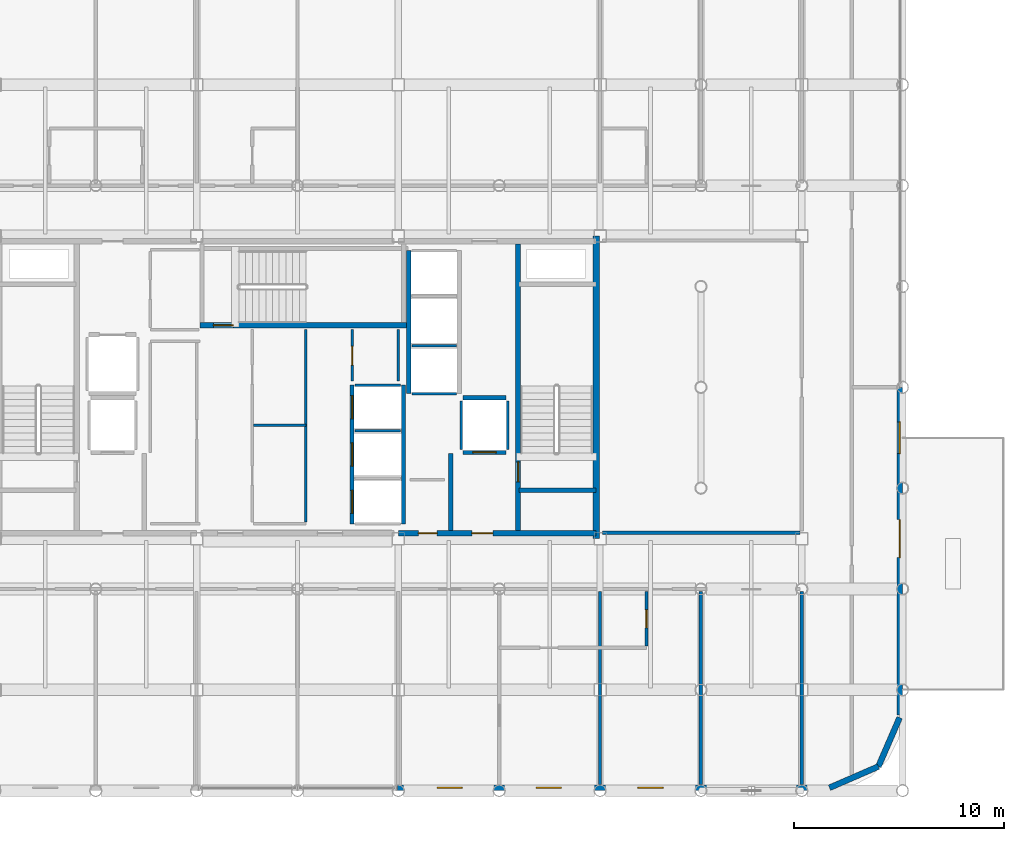
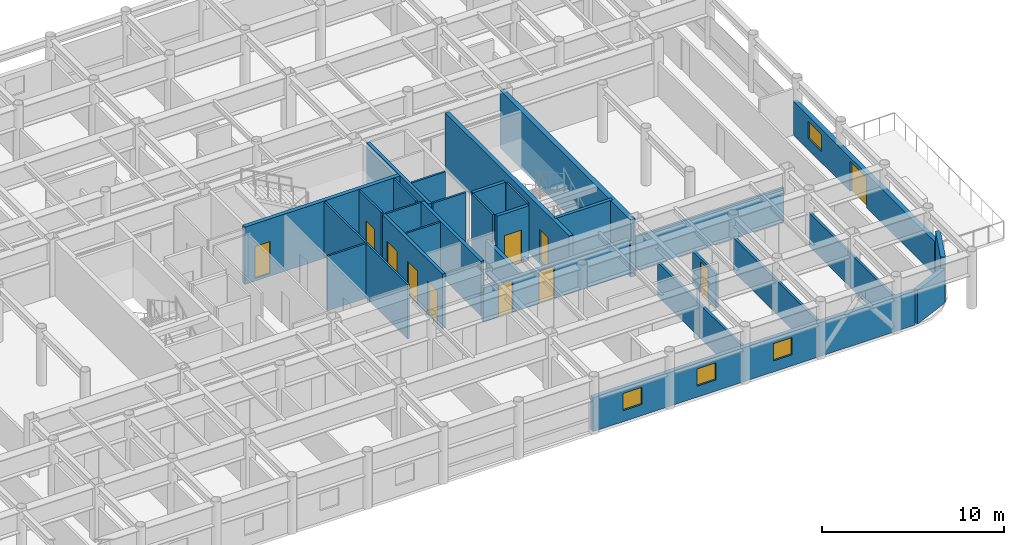
# One storey, part 21 of 25: 30 walls, 11 doors, 4 windows, 15 openings.
"""IFC4 building model written with IfcOpenShell, lengths in metres."""

from ifc_helpers import new_model, si_unit, direction, frame, frame_2d, origin, place, context, subcontext, project, spatial, rectangle, extrude, material, layer, layer_set, type_object, element, fill, save


model = new_model("IFC4")

# Units and contexts
model_context = context("Model", 3, precision=1e-05, world=origin(), true_north=direction((0.0, 1.0)))
body_context = subcontext(model_context, "Body", "Model", "MODEL_VIEW")
ifc_project = project(units=[si_unit("LENGTHUNIT", "METRE"), si_unit("AREAUNIT", "SQUARE_METRE"), si_unit("VOLUMEUNIT", "CUBIC_METRE"), si_unit("PLANEANGLEUNIT", "RADIAN"), si_unit("MASSUNIT", "GRAM", prefix="KILO")], contexts=[model_context])

# Site, building, storey
site_placement = place(None, origin())
site = spatial("IfcSite", under=ifc_project, at=site_placement, CompositionType="ELEMENT")
building_placement = place(site_placement, origin())
building = spatial("IfcBuilding", under=site, at=building_placement, Name="Kallvorn Hotel Tower", CompositionType="ELEMENT")
storey_placement = place(building_placement, frame((0.0, 0.0, 249.25)))
storey = spatial("IfcBuildingStorey", under=building, at=storey_placement, Name="L62", CompositionType="ELEMENT", Elevation=249.25)

# Walls
ifc_material_1 = material(Name="Concrete C50/60", Category="concrete")
ifc_layer_1 = layer(ifc_material_1, 0.300048828125)
ifc_layer_set_1 = layer_set([ifc_layer_1], Name="WL_CORE_300")
wall_type_1 = type_object("IfcWallType", Name="WL_CORE_300", PredefinedType="SHEAR", material=ifc_layer_set_1)
wall_1_placement = place(storey_placement, frame((14.215087890625, -7.199951171875, -0.179931640625), z_axis=(0.0, 0.0, 1.0), x_axis=(0.0, 1.0, 0.0)))
element("IfcWall", 1, at=wall_1_placement, inside=storey, type_object=wall_type_1, Name="L62 Core East Shear Wall", PredefinedType="SHEAR", context=body_context, shape_type="SweptSolid", body=[
    extrude(rectangle(XDim=14.39990234375, YDim=0.300048828125, at=frame_2d((7.199951171875, 0.0))), origin(), (0.0, 0.0, 1.0), 3.849853515625),
])
ifc_material_2 = material(Name="Fire-rated double-layer acoustic gypsum drywall EI 60")
ifc_layer_2 = layer(ifc_material_2, 0.159912109375)
ifc_layer_set_2 = layer_set([ifc_layer_2], Name="WL_DEMISE_160")
wall_type_2 = type_object("IfcWallType", Name="WL_DEMISE_160", PredefinedType="PARTITIONING", material=ifc_layer_set_2)
wall_2_placement = place(storey_placement, frame((14.39990234375, -18.909912109375, 0.0), z_axis=(0.0, 0.0, 1.0), x_axis=(0.0, 1.0, 0.0)))
element("IfcWall", 2, at=wall_2_placement, inside=storey, type_object=wall_type_2, Name="L62 Suite 6201 Executive Bedroom Partition", PredefinedType="PARTITIONING", context=body_context, shape_type="SweptSolid", body=[
    extrude(rectangle(XDim=9.18994140625, YDim=0.159912109375, at=frame_2d((4.594970703125, 0.0))), origin(), (0.0, 0.0, 1.0), 2.27001953125),
])

# Wall, opening, door
wall_3_placement = place(storey_placement, frame((16.610107421875, -12.31005859375, 0.0), z_axis=(0.0, 0.0, 1.0), x_axis=(0.0, 1.0, 0.0)))
wall_3 = element("IfcWall", 3, at=wall_3_placement, inside=storey, type_object=wall_type_2, Name="L62 Suite 6202 Superior Twin Room Partition", PredefinedType="PARTITIONING", context=body_context, shape_type="SweptSolid", body=[
    extrude(rectangle(XDim=2.590087890625, YDim=0.159912109375, at=frame_2d((1.294921875, 0.0))), origin(), (0.0, 0.0, 1.0), 2.27001953125),
])
opening_1_placement = place(wall_3_placement, frame((0.860107421875, 0.0, 0.0)))
opening_1 = element("IfcOpeningElement", 4, at=opening_1_placement, cuts=wall_3, Name="Opening BD-I", PredefinedType="OPENING", context=body_context, shape_type="SweptSolid", body=[
    extrude(rectangle(XDim=0.860107421875, YDim=2.10009765625, at=frame_2d((0.43017578125, 1.050048828125))), frame((0.0, 0.094970703125, 0.0), z_axis=(0.0, -1.0, 0.0), x_axis=(1.0, 0.0, 0.0)), (0.0, 0.0, 1.0), 0.18994140625),
])
ifc_material_3 = material(Name="Solid-core walnut veneer fire-rated timber door leaf", Category="wood")
door_type_1 = type_object("IfcDoorType", Name="DR_BATH_860x2100", OperationType="NOTDEFINED", PredefinedType="DOOR", material=ifc_material_3)
door_1_placement = place(opening_1_placement, origin())
door_1 = element("IfcDoor", 5, at=door_1_placement, inside=storey, type_object=door_type_1, Name="L62 Suite 6202 En-Suite Bathroom Door", OperationType="SINGLE_SWING_RIGHT", OverallHeight=2.10009765625, OverallWidth=0.860107421875, PredefinedType="DOOR", context=body_context, shape_type="SweptSolid", body=[
    extrude(rectangle(XDim=0.860107421875, YDim=2.10009765625, at=frame_2d((0.43017578125, 1.050048828125))), frame((0.0, 0.02490234375, 0.0), z_axis=(0.0, -1.0, 0.0), x_axis=(1.0, 0.0, 0.0)), (0.0, 0.0, 1.0), 0.050048828125),
])
fill(opening_1, door_1)

# Walls
wall_4_placement = place(storey_placement, frame((19.199951171875, -18.909912109375, 0.0), z_axis=(0.0, 0.0, 1.0), x_axis=(0.0, 1.0, 0.0)))
element("IfcWall", 6, at=wall_4_placement, inside=storey, type_object=wall_type_2, Name="L62 Suite 6202 Superior Twin Room Partition", PredefinedType="PARTITIONING", context=body_context, shape_type="SweptSolid", body=[
    extrude(rectangle(XDim=9.18994140625, YDim=0.159912109375, at=frame_2d((4.594970703125, 0.0))), origin(), (0.0, 0.0, 1.0), 2.27001953125),
])
ifc_material_4 = material(Name="Precast basalt-clad insulated concrete wall C40/50", Category="masonry")
ifc_layer_3 = layer(ifc_material_4, 0.280029296875)
ifc_layer_set_3 = layer_set([ifc_layer_3], Name="WL_EXT_LOGGIA_280")
wall_type_3 = type_object("IfcWallType", Name="WL_EXT_LOGGIA_280", PredefinedType="SOLIDWALL", material=ifc_layer_set_3)
wall_5_placement = place(storey_placement, frame((25.32080078125, -19.057861328125, 0.0), z_axis=(0.0, 0.0, 1.0), x_axis=(0.917060872934, 0.398747232384, 0.0)))
element("IfcWall", 7, at=wall_5_placement, inside=storey, type_object=wall_type_3, Name="L62 Rounded Corner Exterior Wall SE1", PredefinedType="SOLIDWALL", context=body_context, shape_type="SweptSolid", body=[
    extrude(rectangle(XDim=2.5361328125, YDim=0.280029296875, at=frame_2d((1.26806640625, 0.0))), origin(), (0.0, 0.0, 1.0), 2.27001953125),
])
wall_6_placement = place(storey_placement, frame((27.646484375, -18.046630859375, 0.0), z_axis=(0.0, 0.0, 1.0), x_axis=(0.398792985289, 0.917040977756, 0.0)))
element("IfcWall", 8, at=wall_6_placement, inside=storey, type_object=wall_type_3, Name="L62 Rounded Corner Exterior Wall SE2", PredefinedType="SOLIDWALL", context=body_context, shape_type="SweptSolid", body=[
    extrude(rectangle(XDim=2.536376953125, YDim=0.280029296875, at=frame_2d((1.26806640625, 0.0))), origin(), (0.0, 0.0, 1.0), 3.02001953125),
])

# Wall, openings, windows
wall_7_placement = place(storey_placement, frame((4.75, -19.06005859375, 0.0), z_axis=(0.0, 0.0, 1.0), x_axis=(1.0, 0.0, 0.0)))
wall_7 = element("IfcWall", 9, at=wall_7_placement, inside=storey, type_object=wall_type_3, Name="L62 Exterior Envelope Wall EW-L62-SE", PredefinedType="SOLIDWALL", context=body_context, shape_type="SweptSolid", body=[
    extrude(rectangle(XDim=20.449951171875, YDim=0.280029296875, at=frame_2d((10.22509765625, 0.0))), origin(), (0.0, 0.0, 1.0), 2.27001953125),
])
opening_2_placement = place(wall_7_placement, frame((1.889892578125, 0.0, 0.75)))
opening_2 = element("IfcOpeningElement", 10, at=opening_2_placement, cuts=wall_7, Name="Opening W06A", PredefinedType="OPENING", context=body_context, shape_type="SweptSolid", body=[
    extrude(rectangle(XDim=1.199951171875, YDim=1.14990234375, at=frame_2d((0.60009765625, 0.574951171875))), frame((0.0, 0.155029296875, 0.0), z_axis=(0.0, -1.0, 0.0), x_axis=(1.0, 0.0, 0.0)), (0.0, 0.0, 1.0), 0.31005859375),
])
opening_3_placement = place(wall_7_placement, frame((6.610107421875, 0.0, 0.75)))
opening_3 = element("IfcOpeningElement", 11, at=opening_3_placement, cuts=wall_7, Name="Opening W06A", PredefinedType="OPENING", context=body_context, shape_type="SweptSolid", body=[
    extrude(rectangle(XDim=1.199951171875, YDim=1.14990234375, at=frame_2d((0.60009765625, 0.574951171875))), frame((0.0, 0.155029296875, 0.0), z_axis=(0.0, -1.0, 0.0), x_axis=(1.0, 0.0, 0.0)), (0.0, 0.0, 1.0), 0.31005859375),
])
opening_4_placement = place(wall_7_placement, frame((11.449951171875, 0.0, 0.75)))
opening_4 = element("IfcOpeningElement", 12, at=opening_4_placement, cuts=wall_7, Name="Opening W06A", PredefinedType="OPENING", context=body_context, shape_type="SweptSolid", body=[
    extrude(rectangle(XDim=1.199951171875, YDim=1.14990234375, at=frame_2d((0.60009765625, 0.574951171875))), frame((0.0, 0.155029296875, 0.0), z_axis=(0.0, -1.0, 0.0), x_axis=(1.0, 0.0, 0.0)), (0.0, 0.0, 1.0), 0.31005859375),
])
ifc_material_5 = material(Name="Triple-glazed low-e acoustic solar-control dark glass", Category="glass")
window_type_1 = type_object("IfcWindowType", Name="WN_HTL_1200x1150", PartitioningType="SINGLE_PANEL", PredefinedType="WINDOW", material=ifc_material_5)
window_1_placement = place(opening_2_placement, origin())
window_1 = element("IfcWindow", 13, at=window_1_placement, inside=storey, type_object=window_type_1, Name="L62 Guestroom Exterior Window 07", OverallHeight=1.14990234375, OverallWidth=1.199951171875, PartitioningType="SINGLE_PANEL", PredefinedType="WINDOW", context=body_context, shape_type="SweptSolid", body=[
    extrude(rectangle(XDim=1.199951171875, YDim=1.14990234375, at=frame_2d((0.60009765625, 0.574951171875))), frame((0.0, 0.030029296875, 0.0), z_axis=(0.0, -1.0, 0.0), x_axis=(1.0, 0.0, 0.0)), (0.0, 0.0, 1.0), 0.06005859375),
])
fill(opening_2, window_1)
window_2_placement = place(opening_3_placement, origin())
window_2 = element("IfcWindow", 14, at=window_2_placement, inside=storey, type_object=window_type_1, Name="L62 Guestroom Exterior Window 08", OverallHeight=1.14990234375, OverallWidth=1.199951171875, PartitioningType="SINGLE_PANEL", PredefinedType="WINDOW", context=body_context, shape_type="SweptSolid", body=[
    extrude(rectangle(XDim=1.199951171875, YDim=1.14990234375, at=frame_2d((0.60009765625, 0.574951171875))), frame((0.0, 0.030029296875, 0.0), z_axis=(0.0, -1.0, 0.0), x_axis=(1.0, 0.0, 0.0)), (0.0, 0.0, 1.0), 0.06005859375),
])
fill(opening_3, window_2)
window_3_placement = place(opening_4_placement, origin())
window_3 = element("IfcWindow", 15, at=window_3_placement, inside=storey, type_object=window_type_1, Name="L62 Guestroom Exterior Window 09", OverallHeight=1.14990234375, OverallWidth=1.199951171875, PartitioningType="SINGLE_PANEL", PredefinedType="WINDOW", context=body_context, shape_type="SweptSolid", body=[
    extrude(rectangle(XDim=1.199951171875, YDim=1.14990234375, at=frame_2d((0.60009765625, 0.574951171875))), frame((0.0, 0.030029296875, 0.0), z_axis=(0.0, -1.0, 0.0), x_axis=(1.0, 0.0, 0.0)), (0.0, 0.0, 1.0), 0.06005859375),
])
fill(opening_4, window_3)

# Wall, openings, door, window
wall_8_placement = place(storey_placement, frame((28.659912109375, -15.60009765625, 0.0), z_axis=(0.0, 0.0, 1.0), x_axis=(0.0, 1.0, 0.0)))
wall_8 = element("IfcWall", 16, at=wall_8_placement, inside=storey, type_object=wall_type_3, Name="L62 Exterior Envelope Wall EW-L62-ES", PredefinedType="SOLIDWALL", context=body_context, shape_type="SweptSolid", body=[
    extrude(rectangle(XDim=15.580078125, YDim=0.280029296875, at=frame_2d((7.7900390625, 0.0))), origin(), (0.0, 0.0, 1.0), 2.27001953125),
])
opening_5_placement = place(wall_8_placement, frame((7.5, 0.0, 0.0)))
opening_5 = element("IfcOpeningElement", 17, at=opening_5_placement, cuts=wall_8, Name="Opening TD2A", PredefinedType="OPENING", context=body_context, shape_type="SweptSolid", body=[
    extrude(rectangle(XDim=1.800048828125, YDim=2.02001953125, at=frame_2d((0.89990234375, 1.010009765625))), frame((0.0, 0.155029296875, 0.0), z_axis=(0.0, -1.0, 0.0), x_axis=(1.0, 0.0, 0.0)), (0.0, 0.0, 1.0), 0.31005859375),
])
opening_6_placement = place(wall_8_placement, frame((12.449951171875, 0.0, 0.75)))
opening_6 = element("IfcOpeningElement", 18, at=opening_6_placement, cuts=wall_8, Name="Opening W05A", PredefinedType="OPENING", context=body_context, shape_type="SweptSolid", body=[
    extrude(rectangle(XDim=1.5, YDim=1.14990234375, at=frame_2d((0.75, 0.574951171875))), frame((0.0, 0.155029296875, 0.0), z_axis=(0.0, -1.0, 0.0), x_axis=(1.0, 0.0, 0.0)), (0.0, 0.0, 1.0), 0.31005859375),
])
ifc_material_6 = material(Name="Double-glazed low-e solar-control dark glass", Category="glass")
door_type_2 = type_object("IfcDoorType", Name="DR_TERR_TOW_1800x2020", OperationType="DOUBLE_DOOR_SINGLE_SWING", PredefinedType="DOOR", material=ifc_material_6)
door_2_placement = place(opening_5_placement, origin())
door_2 = element("IfcDoor", 19, at=door_2_placement, inside=storey, type_object=door_type_2, Name="L62 Step-Off Terrace Glazed Door 1", OperationType="DOUBLE_DOOR_SINGLE_SWING", OverallHeight=2.02001953125, OverallWidth=1.800048828125, PredefinedType="DOOR", context=body_context, shape_type="SweptSolid", body=[
    extrude(rectangle(XDim=1.800048828125, YDim=2.02001953125, at=frame_2d((0.89990234375, 1.010009765625))), frame((0.0, 0.02490234375, 0.0), z_axis=(0.0, -1.0, 0.0), x_axis=(1.0, 0.0, 0.0)), (0.0, 0.0, 1.0), 0.050048828125),
])
fill(opening_5, door_2)
ifc_material_7 = material(Name="Double-glazed low-e solar-control dark glass", Category="glass")
window_type_2 = type_object("IfcWindowType", Name="WN_HTL_1500x1150", PartitioningType="SINGLE_PANEL", PredefinedType="WINDOW", material=ifc_material_7)
window_4_placement = place(opening_6_placement, origin())
window_4 = element("IfcWindow", 20, at=window_4_placement, inside=storey, type_object=window_type_2, Name="L62 Flank Wing Window 03", OverallHeight=1.14990234375, OverallWidth=1.5, PartitioningType="SINGLE_PANEL", PredefinedType="WINDOW", context=body_context, shape_type="SweptSolid", body=[
    extrude(rectangle(XDim=1.5, YDim=1.14990234375, at=frame_2d((0.75, 0.574951171875))), frame((0.0, 0.030029296875, 0.0), z_axis=(0.0, -1.0, 0.0), x_axis=(1.0, 0.0, 0.0)), (0.0, 0.0, 1.0), 0.06005859375),
])
fill(opening_6, window_4)

# Walls
ifc_material_8 = material(Name="Concrete C40/50", Category="concrete")
ifc_layer_4 = layer(ifc_material_8, 0.219970703125)
ifc_layer_set_4 = layer_set([ifc_layer_4], Name="WL_FFL_220")
wall_type_4 = type_object("IfcWallType", Name="WL_FFL_220", PredefinedType="SOLIDWALL", material=ifc_layer_set_4)
wall_9_placement = place(storey_placement, frame((7.300048828125, -6.820068359375, 0.0), z_axis=(0.0, 0.0, 1.0), x_axis=(0.0, 1.0, 0.0)))
element("IfcWall", 21, at=wall_9_placement, inside=storey, type_object=wall_type_4, Name="L62 Firefighting Lobby East Divider Wall", PredefinedType="SOLIDWALL", context=body_context, shape_type="SweptSolid", body=[
    extrude(rectangle(XDim=3.670166015625, YDim=0.219970703125, at=frame_2d((1.8349609375, 0.0))), origin(), (0.0, 0.0, 1.0), 2.27001953125),
])
ifc_material_9 = material(Name="Concrete C40/50", Category="concrete")
ifc_layer_5 = layer(ifc_material_9, 0.199951171875)
ifc_layer_set_5 = layer_set([ifc_layer_5], Name="WL_HOIST_200")
wall_type_5 = type_object("IfcWallType", Name="WL_HOIST_200", PredefinedType="SOLIDWALL", material=ifc_layer_set_5)
wall_10_placement = place(storey_placement, frame((10.550048828125, -4.89990234375, -0.179931640625), z_axis=(0.0, 0.0, 1.0), x_axis=(1.0, 0.0, 0.0)))
element("IfcWall", 22, at=wall_10_placement, inside=storey, type_object=wall_type_5, Name="L62 Stair ST2 South Wall", PredefinedType="SOLIDWALL", context=body_context, shape_type="SweptSolid", body=[
    extrude(rectangle(XDim=3.64990234375, YDim=0.199951171875, at=frame_2d((1.824951171875, 0.0))), origin(), (0.0, 0.0, 1.0), 3.849853515625),
])

# Wall, openings, doors
wall_11_placement = place(storey_placement, frame((2.60009765625, -6.5, 0.0), z_axis=(0.0, 0.0, 1.0), x_axis=(0.0, 1.0, 0.0)))
wall_11 = element("IfcWall", 23, at=wall_11_placement, inside=storey, type_object=wall_type_5, Name="L62 Lift Bank B3A Landing Wall", PredefinedType="SOLIDWALL", context=body_context, shape_type="SweptSolid", body=[
    extrude(rectangle(XDim=6.60009765625, YDim=0.199951171875, at=frame_2d((3.300048828125, 0.0))), origin(), (0.0, 0.0, 1.0), 3.669921875),
])
opening_7_placement = place(wall_11_placement, frame((0.5, 0.0, 0.0)))
opening_7 = element("IfcOpeningElement", 24, at=opening_7_placement, cuts=wall_11, Name="Opening LD-PL-09", PredefinedType="OPENING", context=body_context, shape_type="SweptSolid", body=[
    extrude(rectangle(XDim=1.10009765625, YDim=2.199951171875, at=frame_2d((0.550048828125, 1.10009765625))), frame((0.0, 0.114990234375, 0.0), z_axis=(0.0, -1.0, 0.0), x_axis=(1.0, 0.0, 0.0)), (0.0, 0.0, 1.0), 0.22998046875),
])
opening_8_placement = place(wall_11_placement, frame((2.75, 0.0, 0.0)))
opening_8 = element("IfcOpeningElement", 25, at=opening_8_placement, cuts=wall_11, Name="Opening LD-PL-10", PredefinedType="OPENING", context=body_context, shape_type="SweptSolid", body=[
    extrude(rectangle(XDim=1.10009765625, YDim=2.199951171875, at=frame_2d((0.550048828125, 1.10009765625))), frame((0.0, 0.114990234375, 0.0), z_axis=(0.0, -1.0, 0.0), x_axis=(1.0, 0.0, 0.0)), (0.0, 0.0, 1.0), 0.22998046875),
])
opening_9_placement = place(wall_11_placement, frame((5.0, 0.0, 0.0)))
opening_9 = element("IfcOpeningElement", 26, at=opening_9_placement, cuts=wall_11, Name="Opening LD-PL-11", PredefinedType="OPENING", context=body_context, shape_type="SweptSolid", body=[
    extrude(rectangle(XDim=1.10009765625, YDim=2.199951171875, at=frame_2d((0.550048828125, 1.10009765625))), frame((0.0, 0.114990234375, 0.0), z_axis=(0.0, -1.0, 0.0), x_axis=(1.0, 0.0, 0.0)), (0.0, 0.0, 1.0), 0.22998046875),
])
ifc_material_10 = material(Name="Brushed stainless-steel automatic sliding lift landing door", Category="steel")
door_type_3 = type_object("IfcDoorType", Name="LD_PASS_1100x2200", OperationType="SLIDING_TO_LEFT", PredefinedType="DOOR", material=ifc_material_10)
door_3_placement = place(opening_7_placement, origin())
door_3 = element("IfcDoor", 27, at=door_3_placement, inside=storey, type_object=door_type_3, Name="L62 Lift Landing Sliding Door LD-PL-09", OperationType="SLIDING_TO_LEFT", OverallHeight=2.199951171875, OverallWidth=1.10009765625, PredefinedType="DOOR", context=body_context, shape_type="SweptSolid", body=[
    extrude(rectangle(XDim=1.10009765625, YDim=2.199951171875, at=frame_2d((0.550048828125, 1.10009765625))), frame((0.0, 0.02490234375, 0.0), z_axis=(0.0, -1.0, 0.0), x_axis=(1.0, 0.0, 0.0)), (0.0, 0.0, 1.0), 0.050048828125),
])
fill(opening_7, door_3)
door_4_placement = place(opening_8_placement, origin())
door_4 = element("IfcDoor", 28, at=door_4_placement, inside=storey, type_object=door_type_3, Name="L62 Lift Landing Sliding Door LD-PL-10", OperationType="SLIDING_TO_LEFT", OverallHeight=2.199951171875, OverallWidth=1.10009765625, PredefinedType="DOOR", context=body_context, shape_type="SweptSolid", body=[
    extrude(rectangle(XDim=1.10009765625, YDim=2.199951171875, at=frame_2d((0.550048828125, 1.10009765625))), frame((0.0, 0.02490234375, 0.0), z_axis=(0.0, -1.0, 0.0), x_axis=(1.0, 0.0, 0.0)), (0.0, 0.0, 1.0), 0.050048828125),
])
fill(opening_8, door_4)
door_5_placement = place(opening_9_placement, origin())
door_5 = element("IfcDoor", 29, at=door_5_placement, inside=storey, type_object=door_type_3, Name="L62 Lift Landing Sliding Door LD-PL-11", OperationType="SLIDING_TO_LEFT", OverallHeight=2.199951171875, OverallWidth=1.10009765625, PredefinedType="DOOR", context=body_context, shape_type="SweptSolid", body=[
    extrude(rectangle(XDim=1.10009765625, YDim=2.199951171875, at=frame_2d((0.550048828125, 1.10009765625))), frame((0.0, 0.02490234375, 0.0), z_axis=(0.0, -1.0, 0.0), x_axis=(1.0, 0.0, 0.0)), (0.0, 0.0, 1.0), 0.050048828125),
])
fill(opening_9, door_5)

# Walls
wall_12_placement = place(storey_placement, frame((5.050048828125, -6.5, 0.0), z_axis=(0.0, 0.0, 1.0), x_axis=(0.0, 1.0, 0.0)))
element("IfcWall", 30, at=wall_12_placement, inside=storey, type_object=wall_type_5, Name="L62 Lift Bank B3A Rear Shaft Wall", PredefinedType="SOLIDWALL", context=body_context, shape_type="SweptSolid", body=[
    extrude(rectangle(XDim=6.60009765625, YDim=0.199951171875, at=frame_2d((3.300048828125, 0.0))), origin(), (0.0, 0.0, 1.0), 3.669921875),
])
wall_13_placement = place(storey_placement, frame((5.300048828125, -0.300048828125, 0.0), z_axis=(0.0, 0.0, 1.0), x_axis=(0.0, 1.0, 0.0)))
element("IfcWall", 31, at=wall_13_placement, inside=storey, type_object=wall_type_5, Name="L62 Lift Bank OBS Rear Shaft Wall", PredefinedType="SOLIDWALL", context=body_context, shape_type="SweptSolid", body=[
    extrude(rectangle(XDim=6.800048828125, YDim=0.199951171875, at=frame_2d((3.39990234375, 0.0))), origin(), (0.0, 0.0, 1.0), 3.669921875),
])

# Wall, opening, door
wall_14_placement = place(storey_placement, frame((7.8798828125, -3.10009765625, 0.0), z_axis=(0.0, 0.0, 1.0), x_axis=(1.0, 0.0, 0.0)))
wall_14 = element("IfcWall", 32, at=wall_14_placement, inside=storey, type_object=wall_type_5, Name="L62 FL-2 Landing Wall", PredefinedType="SOLIDWALL", context=body_context, shape_type="SweptSolid", body=[
    extrude(rectangle(XDim=2.0400390625, YDim=0.199951171875, at=frame_2d((1.02001953125, 0.0))), origin(), (0.0, 0.0, 1.0), 3.669921875),
])
opening_10_placement = place(wall_14_placement, frame((0.469970703125, 0.0, 0.0)))
opening_10 = element("IfcOpeningElement", 33, at=opening_10_placement, cuts=wall_14, Name="Opening LD-FL-2", PredefinedType="OPENING", context=body_context, shape_type="SweptSolid", body=[
    extrude(rectangle(XDim=1.10009765625, YDim=2.199951171875, at=frame_2d((0.550048828125, 1.10009765625))), frame((0.0, 0.114990234375, 0.0), z_axis=(0.0, -1.0, 0.0), x_axis=(1.0, 0.0, 0.0)), (0.0, 0.0, 1.0), 0.22998046875),
])
door_6_placement = place(opening_10_placement, origin())
door_6 = element("IfcDoor", 34, at=door_6_placement, inside=storey, type_object=door_type_3, Name="L62 Lift Landing Sliding Door LD-FL-2", OperationType="SLIDING_TO_LEFT", OverallHeight=2.199951171875, OverallWidth=1.10009765625, PredefinedType="DOOR", context=body_context, shape_type="SweptSolid", body=[
    extrude(rectangle(XDim=1.10009765625, YDim=2.199951171875, at=frame_2d((0.550048828125, 1.10009765625))), frame((0.0, 0.02490234375, 0.0), z_axis=(0.0, -1.0, 0.0), x_axis=(1.0, 0.0, 0.0)), (0.0, 0.0, 1.0), 0.050048828125),
])
fill(opening_10, door_6)

# Walls
wall_15_placement = place(storey_placement, frame((7.8798828125, -0.5, 0.0), z_axis=(0.0, 0.0, 1.0), x_axis=(1.0, 0.0, 0.0)))
element("IfcWall", 35, at=wall_15_placement, inside=storey, type_object=wall_type_5, Name="L62 FL-2 Rear Shaft Wall", PredefinedType="SOLIDWALL", context=body_context, shape_type="SweptSolid", body=[
    extrude(rectangle(XDim=2.0400390625, YDim=0.199951171875, at=frame_2d((1.02001953125, 0.0))), origin(), (0.0, 0.0, 1.0), 3.669921875),
])
ifc_material_11 = material(Name="Fire-rated double-layer acoustic gypsum drywall EI 60")
ifc_layer_6 = layer(ifc_material_11, 0.1201171875)
ifc_layer_set_6 = layer_set([ifc_layer_6], Name="WL_INT_120")
wall_type_6 = type_object("IfcWallType", Name="WL_INT_120", PredefinedType="PARTITIONING", material=ifc_layer_set_6)
for number, where, z_axis, x_axis, name in (
    (36, (2.739990234375, -2.074951171875, 0.0), (0.0, 0.0, 1.0), (1.0, 0.0, 0.0), "L62 PL-10 Hoistway Divider"),
    (37, (2.739990234375, 0.10009765625, 0.0), (0.0, 0.0, 1.0), (1.0, 0.0, 0.0), "L62 PL-11 Hoistway Divider"),
):
    element("IfcWall", number, at=place(storey_placement, frame(where, z_axis=z_axis, x_axis=x_axis)), inside=storey, type_object=wall_type_6, Name=name, PredefinedType="PARTITIONING", context=body_context, shape_type="SweptSolid", body=[
        extrude(rectangle(XDim=2.169921875, YDim=0.1201171875, at=frame_2d((1.0849609375, 0.0))), origin(), (0.0, 0.0, 1.0), 3.669921875),
    ])
for number, where, z_axis, x_axis, name in (
    (38, (5.43994140625, -0.300048828125, 0.0), (0.0, 0.0, 1.0), (1.0, 0.0, 0.0), "L62 Lift Bank OBS South Closure Wall"),
    (39, (5.43994140625, 1.97509765625, 0.0), (0.0, 0.0, 1.0), (1.0, 0.0, 0.0), "L62 OB-01 Hoistway Divider"),
):
    element("IfcWall", number, at=place(storey_placement, frame(where, z_axis=z_axis, x_axis=x_axis)), inside=storey, type_object=wall_type_6, Name=name, PredefinedType="PARTITIONING", context=body_context, shape_type="SweptSolid", body=[
        extrude(rectangle(XDim=2.1201171875, YDim=0.1201171875, at=frame_2d((1.06005859375, 0.0))), origin(), (0.0, 0.0, 1.0), 3.669921875),
    ])
for number, where, z_axis, x_axis, name in (
    (40, (7.800048828125, -2.9599609375, 0.0), (0.0, 0.0, 1.0), (0.0, 1.0, 0.0), "L62 FL-2 West Shaft Wall"),
    (41, (10.0, -2.9599609375, 0.0), (0.0, 0.0, 1.0), (0.0, 1.0, 0.0), "L62 FL-2 East Shaft Wall"),
):
    element("IfcWall", number, at=place(storey_placement, frame(where, z_axis=z_axis, x_axis=x_axis)), inside=storey, type_object=wall_type_6, Name=name, PredefinedType="PARTITIONING", context=body_context, shape_type="SweptSolid", body=[
        extrude(rectangle(XDim=2.320068359375, YDim=0.1201171875, at=frame_2d((1.16015625, 0.0))), origin(), (0.0, 0.0, 1.0), 3.669921875),
    ])
wall_16_placement = place(storey_placement, frame((-2.10009765625, -1.800048828125, 0.0), z_axis=(0.0, 0.0, 1.0), x_axis=(1.0, 0.0, 0.0)))
element("IfcWall", 42, at=wall_16_placement, inside=storey, type_object=wall_type_6, Name="L62 High-Zone Housekeeping Reserve Store Partition", PredefinedType="PARTITIONING", context=body_context, shape_type="SweptSolid", body=[
    extrude(rectangle(XDim=2.5, YDim=0.1201171875, at=frame_2d((1.25, 0.0))), origin(), (0.0, 0.0, 1.0), 3.669921875),
])
wall_17_placement = place(storey_placement, frame((0.39990234375, -6.4150390625, 0.0), z_axis=(0.0, 0.0, 1.0), x_axis=(0.0, 1.0, 0.0)))
element("IfcWall", 43, at=wall_17_placement, inside=storey, type_object=wall_type_6, Name="L62 High-Zone Sommelier and Beverage Pantry Partition", PredefinedType="PARTITIONING", context=body_context, shape_type="SweptSolid", body=[
    extrude(rectangle(XDim=9.1650390625, YDim=0.1201171875, at=frame_2d((4.58251953125, 0.0))), origin(), (0.0, 0.0, 1.0), 3.669921875),
])

# Wall, opening, door
wall_18_placement = place(storey_placement, frame((2.60009765625, 0.300048828125, 0.0), z_axis=(0.0, 0.0, 1.0), x_axis=(0.0, 1.0, 0.0)))
wall_18 = element("IfcWall", 44, at=wall_18_placement, inside=storey, type_object=wall_type_6, Name="L62 East Core Janitor Room Partition", PredefinedType="PARTITIONING", context=body_context, shape_type="SweptSolid", body=[
    extrude(rectangle(XDim=2.449951171875, YDim=0.1201171875, at=frame_2d((1.22509765625, 0.0))), origin(), (0.0, 0.0, 1.0), 3.669921875),
])
opening_11_placement = place(wall_18_placement, frame((0.75, 0.0, 0.0)))
opening_11 = element("IfcOpeningElement", 45, at=opening_11_placement, cuts=wall_18, Name="Opening SVD1", PredefinedType="OPENING", context=body_context, shape_type="SweptSolid", body=[
    extrude(rectangle(XDim=0.89990234375, YDim=2.10009765625, at=frame_2d((0.449951171875, 1.050048828125))), frame((0.0, 0.074951171875, 0.0), z_axis=(0.0, -1.0, 0.0), x_axis=(1.0, 0.0, 0.0)), (0.0, 0.0, 1.0), 0.150146484375),
])
ifc_material_12 = material(Name="Galvanised painted steel fire-rated door assembly", Category="steel")
door_type_4 = type_object("IfcDoorType", Name="DR_SERV_900x2100", OperationType="NOTDEFINED", PredefinedType="DOOR", material=ifc_material_12)
door_7_placement = place(opening_11_placement, origin())
door_7 = element("IfcDoor", 46, at=door_7_placement, inside=storey, type_object=door_type_4, Name="L62 East Core Janitor Room Door", OperationType="SINGLE_SWING_LEFT", OverallHeight=2.10009765625, OverallWidth=0.89990234375, PredefinedType="DOOR", context=body_context, shape_type="SweptSolid", body=[
    extrude(rectangle(XDim=0.89990234375, YDim=2.10009765625, at=frame_2d((0.449951171875, 1.050048828125))), frame((0.0, 0.02490234375, 0.0), z_axis=(0.0, -1.0, 0.0), x_axis=(1.0, 0.0, 0.0)), (0.0, 0.0, 1.0), 0.050048828125),
])
fill(opening_11, door_7)

# Walls
wall_19_placement = place(storey_placement, frame((4.800048828125, 0.300048828125, 0.0), z_axis=(0.0, 0.0, 1.0), x_axis=(0.0, 1.0, 0.0)))
element("IfcWall", 47, at=wall_19_placement, inside=storey, type_object=wall_type_6, Name="L62 East Core Janitor Room Partition", PredefinedType="PARTITIONING", context=body_context, shape_type="SweptSolid", body=[
    extrude(rectangle(XDim=2.449951171875, YDim=0.1201171875, at=frame_2d((1.22509765625, 0.0))), origin(), (0.0, 0.0, 1.0), 3.669921875),
])
ifc_material_13 = material(Name="Fire-rated double-layer acoustic gypsum drywall EI 60")
ifc_layer_7 = layer(ifc_material_13, 0.14990234375)
ifc_layer_set_7 = layer_set([ifc_layer_7], Name="WL_PART_150")
wall_type_7 = type_object("IfcWallType", Name="WL_PART_150", PredefinedType="PARTITIONING", material=ifc_layer_set_7)
wall_20_placement = place(storey_placement, frame((14.52001953125, -6.919921875, 0.0), z_axis=(0.0, 0.0, 1.0), x_axis=(1.0, 0.0, 0.0)))
element("IfcWall", 48, at=wall_20_placement, inside=storey, type_object=wall_type_7, Name="L62 L62 High-Zone Inner East Club Gallery Partition", PredefinedType="PARTITIONING", context=body_context, shape_type="SweptSolid", body=[
    extrude(rectangle(XDim=9.39990234375, YDim=0.14990234375, at=frame_2d((4.699951171875, 0.0))), origin(), (0.0, 0.0, 1.0), 2.27001953125),
])
wall_21_placement = place(storey_placement, frame((24.0, -18.909912109375, 0.0), z_axis=(0.0, 0.0, 1.0), x_axis=(0.0, 1.0, 0.0)))
element("IfcWall", 49, at=wall_21_placement, inside=storey, type_object=wall_type_7, Name="L62 L62 High-Zone South-East Wine Bar Partition", PredefinedType="PARTITIONING", context=body_context, shape_type="SweptSolid", body=[
    extrude(rectangle(XDim=9.18994140625, YDim=0.14990234375, at=frame_2d((4.594970703125, 0.0))), origin(), (0.0, 0.0, 1.0), 2.27001953125),
])

# Wall, openings, doors
ifc_material_14 = material(Name="Concrete C40/50", Category="concrete")
ifc_layer_8 = layer(ifc_material_14, 0.25)
ifc_layer_set_8 = layer_set([ifc_layer_8], Name="WL_SHAFT_250")
wall_type_8 = type_object("IfcWallType", Name="WL_SHAFT_250", PredefinedType="SOLIDWALL", material=ifc_layer_set_8)
wall_22_placement = place(storey_placement, frame((4.800048828125, -6.949951171875, 0.0), z_axis=(0.0, 0.0, 1.0), x_axis=(1.0, 0.0, 0.0)))
wall_22 = element("IfcWall", 50, at=wall_22_placement, inside=storey, type_object=wall_type_8, Name="L62 Core South-East Wall", PredefinedType="SOLIDWALL", context=body_context, shape_type="SweptSolid", body=[
    extrude(rectangle(XDim=9.39990234375, YDim=0.25, at=frame_2d((4.699951171875, 0.0))), origin(), (0.0, 0.0, 1.0), 2.27001953125),
])
opening_12_placement = place(wall_22_placement, frame((3.5, 0.0, 0.0)))
opening_12 = element("IfcOpeningElement", 51, at=opening_12_placement, cuts=wall_22, Name="Opening FD1", PredefinedType="OPENING", context=body_context, shape_type="SweptSolid", body=[
    extrude(rectangle(XDim=1.0, YDim=2.14990234375, at=frame_2d((0.5, 1.074951171875))), frame((0.0, 0.139892578125, 0.0), z_axis=(0.0, -1.0, 0.0), x_axis=(1.0, 0.0, 0.0)), (0.0, 0.0, 1.0), 0.280029296875),
])
opening_13_placement = place(wall_22_placement, frame((0.949951171875, 0.0, 0.0)))
opening_13 = element("IfcOpeningElement", 52, at=opening_13_placement, cuts=wall_22, Name="Opening SVD1", PredefinedType="OPENING", context=body_context, shape_type="SweptSolid", body=[
    extrude(rectangle(XDim=0.89990234375, YDim=2.10009765625, at=frame_2d((0.449951171875, 1.050048828125))), frame((0.0, 0.139892578125, 0.0), z_axis=(0.0, -1.0, 0.0), x_axis=(1.0, 0.0, 0.0)), (0.0, 0.0, 1.0), 0.280029296875),
])
ifc_material_15 = material(Name="Galvanised painted steel fire-rated door assembly", Category="steel")
door_type_5 = type_object("IfcDoorType", Name="DR_FFL_1000x2150", OperationType="NOTDEFINED", PredefinedType="DOOR", material=ifc_material_15)
door_8_placement = place(opening_12_placement, origin())
door_8 = element("IfcDoor", 53, at=door_8_placement, inside=storey, type_object=door_type_5, Name="L62 Firefighting Lobby East Door", OperationType="SINGLE_SWING_RIGHT", OverallHeight=2.14990234375, OverallWidth=1.0, PredefinedType="DOOR", context=body_context, shape_type="SweptSolid", body=[
    extrude(rectangle(XDim=1.0, YDim=2.14990234375, at=frame_2d((0.5, 1.074951171875))), frame((0.0, 0.02490234375, 0.0), z_axis=(0.0, -1.0, 0.0), x_axis=(1.0, 0.0, 0.0)), (0.0, 0.0, 1.0), 0.050048828125),
])
fill(opening_12, door_8)
door_9_placement = place(opening_13_placement, origin())
door_9 = element("IfcDoor", 54, at=door_9_placement, inside=storey, type_object=door_type_4, Name="L62 Core Staff Restroom WC Door", OperationType="SINGLE_SWING_LEFT", OverallHeight=2.10009765625, OverallWidth=0.89990234375, PredefinedType="DOOR", context=body_context, shape_type="SweptSolid", body=[
    extrude(rectangle(XDim=0.89990234375, YDim=2.10009765625, at=frame_2d((0.449951171875, 1.050048828125))), frame((0.0, 0.02490234375, 0.0), z_axis=(0.0, -1.0, 0.0), x_axis=(1.0, 0.0, 0.0)), (0.0, 0.0, 1.0), 0.050048828125),
])
fill(opening_13, door_9)

# Wall, opening, door
wall_23_placement = place(storey_placement, frame((10.5, -6.820068359375, -0.179931640625), z_axis=(0.0, 0.0, 1.0), x_axis=(0.0, 1.0, 0.0)))
wall_23 = element("IfcWall", 55, at=wall_23_placement, inside=storey, type_object=wall_type_8, Name="L62 Stair ST2 Shaft Wall", PredefinedType="SOLIDWALL", context=body_context, shape_type="SweptSolid", body=[
    extrude(rectangle(XDim=13.64013671875, YDim=0.25, at=frame_2d((6.820068359375, 0.0))), origin(), (0.0, 0.0, 1.0), 3.849853515625),
])
opening_14_placement = place(wall_23_placement, frame((2.320068359375, 0.0, 0.179931640625)))
opening_14 = element("IfcOpeningElement", 56, at=opening_14_placement, cuts=wall_23, Name="Opening SD1", PredefinedType="OPENING", context=body_context, shape_type="SweptSolid", body=[
    extrude(rectangle(XDim=0.949951171875, YDim=2.14990234375, at=frame_2d((0.47509765625, 1.074951171875))), frame((0.0, 0.139892578125, 0.0), z_axis=(0.0, -1.0, 0.0), x_axis=(1.0, 0.0, 0.0)), (0.0, 0.0, 1.0), 0.280029296875),
])
ifc_material_16 = material(Name="Galvanised painted steel fire-rated door assembly", Category="steel")
door_type_6 = type_object("IfcDoorType", Name="DR_STAIR_950x2150", OperationType="NOTDEFINED", PredefinedType="DOOR", material=ifc_material_16)
door_10_placement = place(opening_14_placement, origin())
door_10 = element("IfcDoor", 57, at=door_10_placement, inside=storey, type_object=door_type_6, Name="L62 Exit Stair ST2 Fire Door", OperationType="SINGLE_SWING_LEFT", OverallHeight=2.14990234375, OverallWidth=0.949951171875, PredefinedType="DOOR", context=body_context, shape_type="SweptSolid", body=[
    extrude(rectangle(XDim=0.949951171875, YDim=2.14990234375, at=frame_2d((0.47509765625, 1.074951171875))), frame((0.0, 0.02490234375, 0.0), z_axis=(0.0, -1.0, 0.0), x_axis=(1.0, 0.0, 0.0)), (0.0, 0.0, 1.0), 0.050048828125),
])
fill(opening_14, door_10)

wall_24_placement = place(storey_placement, frame((-4.64990234375, 2.949951171875, -0.179931640625), z_axis=(0.0, 0.0, 1.0), x_axis=(1.0, 0.0, 0.0)))
wall_24 = element("IfcWall", 58, at=wall_24_placement, inside=storey, type_object=wall_type_8, Name="L62 Stair ST3 Shaft South Wall", PredefinedType="SOLIDWALL", context=body_context, shape_type="SweptSolid", body=[
    extrude(rectangle(XDim=9.89990234375, YDim=0.25, at=frame_2d((4.949951171875, 0.0))), origin(), (0.0, 0.0, 1.0), 3.849853515625),
])
opening_15_placement = place(wall_24_placement, frame((0.64990234375, 0.0, 0.179931640625)))
opening_15 = element("IfcOpeningElement", 59, at=opening_15_placement, cuts=wall_24, Name="Opening SD1", PredefinedType="OPENING", context=body_context, shape_type="SweptSolid", body=[
    extrude(rectangle(XDim=0.949951171875, YDim=2.14990234375, at=frame_2d((0.47509765625, 1.074951171875))), frame((0.0, 0.139892578125, 0.0), z_axis=(0.0, -1.0, 0.0), x_axis=(1.0, 0.0, 0.0)), (0.0, 0.0, 1.0), 0.280029296875),
])
door_11_placement = place(opening_15_placement, origin())
door_11 = element("IfcDoor", 60, at=door_11_placement, inside=storey, type_object=door_type_6, Name="L62 Exit Stair ST3 Fire Door", OperationType="SINGLE_SWING_LEFT", OverallHeight=2.14990234375, OverallWidth=0.949951171875, PredefinedType="DOOR", context=body_context, shape_type="SweptSolid", body=[
    extrude(rectangle(XDim=0.949951171875, YDim=2.14990234375, at=frame_2d((0.47509765625, 1.074951171875))), frame((0.0, 0.02490234375, 0.0), z_axis=(0.0, -1.0, 0.0), x_axis=(1.0, 0.0, 0.0)), (0.0, 0.0, 1.0), 0.050048828125),
])
fill(opening_15, door_11)

save(model, "model.ifc")
